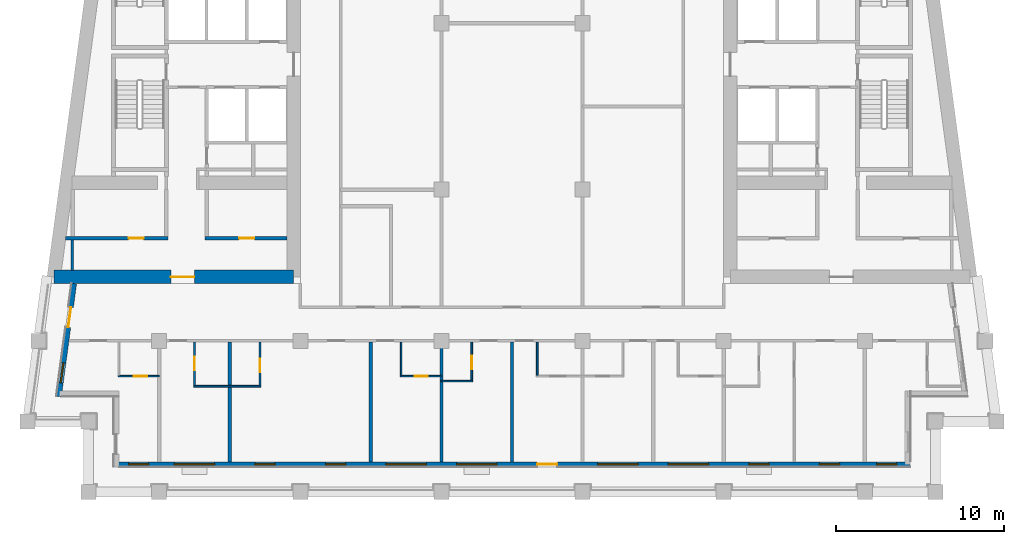
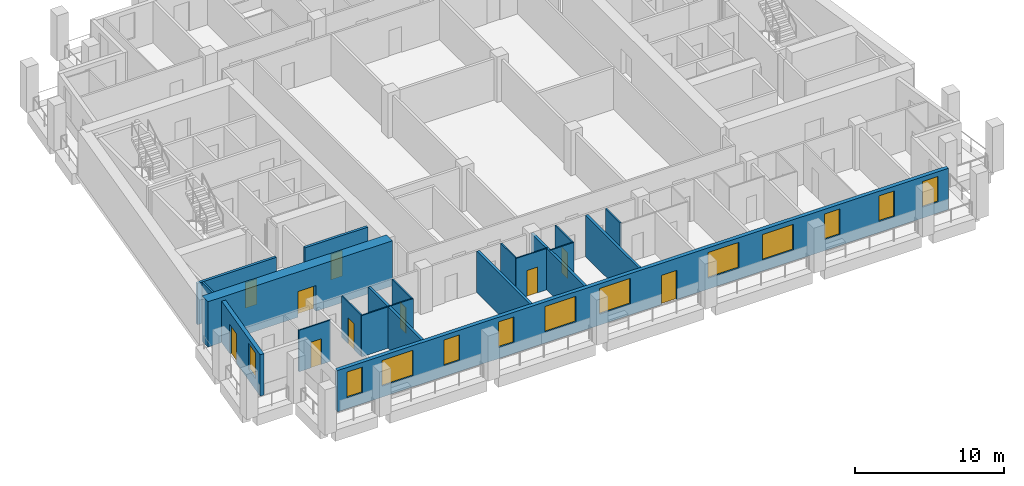
# One storey, part 2 of 12: 19 walls, 12 windows, 10 doors, 22 openings.
"""IFC4 building model written with IfcOpenShell, lengths in metres."""

from ifc_helpers import new_model, si_unit, direction, frame, frame_2d, origin, place, context, subcontext, project, spatial, rectangle, extrude, material, layer, layer_set, type_object, element, fill, save


model = new_model("IFC4")

# Units and contexts
model_context = context("Model", 3, precision=1e-05, world=origin(), true_north=direction((0.0, 1.0)))
body_context = subcontext(model_context, "Body", "Model", "MODEL_VIEW")
ifc_project = project(units=[si_unit("LENGTHUNIT", "METRE"), si_unit("AREAUNIT", "SQUARE_METRE"), si_unit("VOLUMEUNIT", "CUBIC_METRE"), si_unit("PLANEANGLEUNIT", "RADIAN"), si_unit("MASSUNIT", "GRAM", prefix="KILO")], contexts=[model_context])

# Site, building, storey
site_placement = place(None, origin())
site = spatial("IfcSite", under=ifc_project, at=site_placement, CompositionType="ELEMENT")
building_placement = place(site_placement, origin())
building = spatial("IfcBuilding", under=site, at=building_placement, Name="Candeia Pilgrim Tower and Theatre", CompositionType="ELEMENT")
storey_placement = place(building_placement, frame((0.0, 0.0, 209.60009765625)))
storey = spatial("IfcBuildingStorey", under=building, at=storey_placement, Name="L50", CompositionType="ELEMENT", Elevation=209.60009765625)

# Wall, opening, door
ifc_material_1 = material(Name="Concrete C50/60", Category="concrete")
ifc_layer_1 = layer(ifc_material_1, 0.800048828125)
ifc_layer_set_1 = layer_set([ifc_layer_1], Name="Core wall 800 C50/60")
wall_type_1 = type_object("IfcWallType", Name="Core wall 800 C50/60", PredefinedType="SHEAR", material=ifc_layer_set_1)
wall_1_placement = place(storey_placement, frame((100.39990234375, 110.800048828125, 0.0), z_axis=(0.0, 0.0, 1.0), x_axis=(-1.0, 0.0, 0.0)))
wall_1 = element("IfcWall", 1, at=wall_1_placement, inside=storey, type_object=wall_type_1, Name="Core wall W3", PredefinedType="SHEAR", context=body_context, shape_type="SweptSolid", body=[
    extrude(rectangle(XDim=14.273193359375, YDim=0.800048828125, at=frame_2d((7.13671875, 0.0))), origin(), (0.0, 0.0, 1.0), 3.699951171875),
])
opening_1_placement = place(wall_1_placement, frame((5.907958984375, 0.0, 0.0)))
opening_1 = element("IfcOpeningElement", 2, at=opening_1_placement, cuts=wall_1, Name="Opening L50-D053", PredefinedType="OPENING", context=body_context, shape_type="SweptSolid", body=[
    extrude(rectangle(XDim=1.39990234375, YDim=2.10009765625, at=frame_2d((0.699951171875, 1.050048828125))), frame((0.0, 0.41015625, 0.0), z_axis=(0.0, -1.0, 0.0), x_axis=(1.0, 0.0, 0.0)), (0.0, 0.0, 1.0), 0.820068359375),
])
ifc_material_2 = material(Name="Steel fire door set", Category="steel")
door_type_1 = type_object("IfcDoorType", Name="D-1400-FD60", OperationType="NOTDEFINED", PredefinedType="DOOR", material=ifc_material_2)
door_1_placement = place(opening_1_placement, origin())
door_1 = element("IfcDoor", 3, at=door_1_placement, inside=storey, type_object=door_type_1, Name="Door L50-D053", OperationType="SINGLE_SWING_LEFT", OverallHeight=2.10009765625, OverallWidth=1.39990234375, PredefinedType="DOOR", context=body_context, shape_type="SweptSolid", body=[
    extrude(rectangle(XDim=1.39990234375, YDim=2.10009765625, at=frame_2d((0.699951171875, 1.050048828125))), frame((0.0, 0.02490234375, 0.0), z_axis=(0.0, -1.0, 0.0), x_axis=(1.0, 0.0, 0.0)), (0.0, 0.0, 1.0), 0.050048828125),
])
fill(opening_1, door_1)

# Wall, openings, door, windows
ifc_material_3 = material(Name="Ceramic block masonry", Category="masonry")
ifc_layer_2 = layer(ifc_material_3, 0.300048828125)
ifc_layer_set_2 = layer_set([ifc_layer_2], Name="EW1 glazing-line wall 300")
wall_type_2 = type_object("IfcWallType", Name="EW1 glazing-line wall 300", PredefinedType="SOLIDWALL", material=ifc_layer_set_2)
wall_2_placement = place(storey_placement, frame((89.85009765625, 99.64990234375, 0.0), z_axis=(0.0, 0.0, 1.0), x_axis=(1.0, 0.0, 0.0)))
wall_2 = element("IfcWall", 4, at=wall_2_placement, inside=storey, type_object=wall_type_2, Name="External wall L50-0.0", PredefinedType="SOLIDWALL", context=body_context, shape_type="SweptSolid", body=[
    extrude(rectangle(XDim=47.25, YDim=0.300048828125, at=frame_2d((23.625, 0.0))), origin(), (0.0, 0.0, 1.0), 3.3798828125),
])
opening_2_placement = place(wall_2_placement, frame((0.72509765625, 0.0, 0.89990234375)))
opening_2 = element("IfcOpeningElement", 5, at=opening_2_placement, cuts=wall_2, Name="Opening W-B", PredefinedType="OPENING", context=body_context, shape_type="SweptSolid", body=[
    extrude(rectangle(XDim=1.199951171875, YDim=2.10009765625, at=frame_2d((0.60009765625, 1.050048828125))), frame((0.0, 0.16015625, 0.0), z_axis=(0.0, -1.0, 0.0), x_axis=(1.0, 0.0, 0.0)), (0.0, 0.0, 1.0), 0.320068359375),
])
opening_3_placement = place(wall_2_placement, frame((3.449951171875, 0.0, 0.89990234375)))
opening_3 = element("IfcOpeningElement", 6, at=opening_3_placement, cuts=wall_2, Name="Opening W-A", PredefinedType="OPENING", context=body_context, shape_type="SweptSolid", body=[
    extrude(rectangle(XDim=2.39990234375, YDim=2.10009765625, at=frame_2d((1.199951171875, 1.050048828125))), frame((0.0, 0.16015625, 0.0), z_axis=(0.0, -1.0, 0.0), x_axis=(1.0, 0.0, 0.0)), (0.0, 0.0, 1.0), 0.320068359375),
])
opening_4_placement = place(wall_2_placement, frame((8.25, 0.0, 0.89990234375)))
opening_4 = element("IfcOpeningElement", 7, at=opening_4_placement, cuts=wall_2, Name="Opening W-B", PredefinedType="OPENING", context=body_context, shape_type="SweptSolid", body=[
    extrude(rectangle(XDim=1.199951171875, YDim=2.10009765625, at=frame_2d((0.60009765625, 1.050048828125))), frame((0.0, 0.16015625, 0.0), z_axis=(0.0, -1.0, 0.0), x_axis=(1.0, 0.0, 0.0)), (0.0, 0.0, 1.0), 0.320068359375),
])
opening_5_placement = place(wall_2_placement, frame((12.449951171875, 0.0, 0.89990234375)))
opening_5 = element("IfcOpeningElement", 8, at=opening_5_placement, cuts=wall_2, Name="Opening W-B", PredefinedType="OPENING", context=body_context, shape_type="SweptSolid", body=[
    extrude(rectangle(XDim=1.199951171875, YDim=2.10009765625, at=frame_2d((0.60009765625, 1.050048828125))), frame((0.0, 0.16015625, 0.0), z_axis=(0.0, -1.0, 0.0), x_axis=(1.0, 0.0, 0.0)), (0.0, 0.0, 1.0), 0.320068359375),
])
opening_6_placement = place(wall_2_placement, frame((16.050048828125, 0.0, 0.89990234375)))
opening_6 = element("IfcOpeningElement", 9, at=opening_6_placement, cuts=wall_2, Name="Opening W-A", PredefinedType="OPENING", context=body_context, shape_type="SweptSolid", body=[
    extrude(rectangle(XDim=2.39990234375, YDim=2.10009765625, at=frame_2d((1.199951171875, 1.050048828125))), frame((0.0, 0.16015625, 0.0), z_axis=(0.0, -1.0, 0.0), x_axis=(1.0, 0.0, 0.0)), (0.0, 0.0, 1.0), 0.320068359375),
])
opening_7_placement = place(wall_2_placement, frame((20.25, 0.0, 0.89990234375)))
opening_7 = element("IfcOpeningElement", 10, at=opening_7_placement, cuts=wall_2, Name="Opening W-A", PredefinedType="OPENING", context=body_context, shape_type="SweptSolid", body=[
    extrude(rectangle(XDim=2.39990234375, YDim=2.10009765625, at=frame_2d((1.199951171875, 1.050048828125))), frame((0.0, 0.16015625, 0.0), z_axis=(0.0, -1.0, 0.0), x_axis=(1.0, 0.0, 0.0)), (0.0, 0.0, 1.0), 0.320068359375),
])
opening_8_placement = place(wall_2_placement, frame((25.050048828125, 0.0, 0.0)))
opening_8 = element("IfcOpeningElement", 11, at=opening_8_placement, cuts=wall_2, Name="Opening L50-ED473", PredefinedType="OPENING", context=body_context, shape_type="SweptSolid", body=[
    extrude(rectangle(XDim=1.199951171875, YDim=2.39990234375, at=frame_2d((0.60009765625, 1.199951171875))), frame((0.0, 0.16015625, 0.0), z_axis=(0.0, -1.0, 0.0), x_axis=(1.0, 0.0, 0.0)), (0.0, 0.0, 1.0), 0.320068359375),
])
opening_9_placement = place(wall_2_placement, frame((28.64990234375, 0.0, 0.89990234375)))
opening_9 = element("IfcOpeningElement", 12, at=opening_9_placement, cuts=wall_2, Name="Opening W-A", PredefinedType="OPENING", context=body_context, shape_type="SweptSolid", body=[
    extrude(rectangle(XDim=2.39990234375, YDim=2.10009765625, at=frame_2d((1.199951171875, 1.050048828125))), frame((0.0, 0.16015625, 0.0), z_axis=(0.0, -1.0, 0.0), x_axis=(1.0, 0.0, 0.0)), (0.0, 0.0, 1.0), 0.320068359375),
])
opening_10_placement = place(wall_2_placement, frame((32.85009765625, 0.0, 0.89990234375)))
opening_10 = element("IfcOpeningElement", 13, at=opening_10_placement, cuts=wall_2, Name="Opening W-A", PredefinedType="OPENING", context=body_context, shape_type="SweptSolid", body=[
    extrude(rectangle(XDim=2.39990234375, YDim=2.10009765625, at=frame_2d((1.199951171875, 1.050048828125))), frame((0.0, 0.16015625, 0.0), z_axis=(0.0, -1.0, 0.0), x_axis=(1.0, 0.0, 0.0)), (0.0, 0.0, 1.0), 0.320068359375),
])
opening_11_placement = place(wall_2_placement, frame((37.64990234375, 0.0, 0.89990234375)))
opening_11 = element("IfcOpeningElement", 14, at=opening_11_placement, cuts=wall_2, Name="Opening W-B", PredefinedType="OPENING", context=body_context, shape_type="SweptSolid", body=[
    extrude(rectangle(XDim=1.199951171875, YDim=2.10009765625, at=frame_2d((0.60009765625, 1.050048828125))), frame((0.0, 0.16015625, 0.0), z_axis=(0.0, -1.0, 0.0), x_axis=(1.0, 0.0, 0.0)), (0.0, 0.0, 1.0), 0.320068359375),
])
opening_12_placement = place(wall_2_placement, frame((41.85009765625, 0.0, 0.89990234375)))
opening_12 = element("IfcOpeningElement", 15, at=opening_12_placement, cuts=wall_2, Name="Opening W-B", PredefinedType="OPENING", context=body_context, shape_type="SweptSolid", body=[
    extrude(rectangle(XDim=1.199951171875, YDim=2.10009765625, at=frame_2d((0.60009765625, 1.050048828125))), frame((0.0, 0.16015625, 0.0), z_axis=(0.0, -1.0, 0.0), x_axis=(1.0, 0.0, 0.0)), (0.0, 0.0, 1.0), 0.320068359375),
])
opening_13_placement = place(wall_2_placement, frame((45.25, 0.0, 0.89990234375)))
opening_13 = element("IfcOpeningElement", 16, at=opening_13_placement, cuts=wall_2, Name="Opening W-B", PredefinedType="OPENING", context=body_context, shape_type="SweptSolid", body=[
    extrude(rectangle(XDim=1.199951171875, YDim=2.10009765625, at=frame_2d((0.60009765625, 1.050048828125))), frame((0.0, 0.16015625, 0.0), z_axis=(0.0, -1.0, 0.0), x_axis=(1.0, 0.0, 0.0)), (0.0, 0.0, 1.0), 0.320068359375),
])
ifc_material_4 = material(Name="Aluminium framed glazed door", Category="aluminium")
door_type_2 = type_object("IfcDoorType", Name="Loggia door 1200x2400", OperationType="DOUBLE_DOOR_SINGLE_SWING", PredefinedType="DOOR", material=ifc_material_4)
door_2_placement = place(opening_8_placement, origin())
door_2 = element("IfcDoor", 17, at=door_2_placement, inside=storey, type_object=door_type_2, Name="Loggia door L50-ED473", OperationType="DOUBLE_DOOR_SINGLE_SWING", OverallHeight=2.39990234375, OverallWidth=1.199951171875, PredefinedType="DOOR", context=body_context, shape_type="SweptSolid", body=[
    extrude(rectangle(XDim=1.199951171875, YDim=2.39990234375, at=frame_2d((0.60009765625, 1.199951171875))), frame((0.0, 0.02490234375, 0.0), z_axis=(0.0, -1.0, 0.0), x_axis=(1.0, 0.0, 0.0)), (0.0, 0.0, 1.0), 0.050048828125),
])
fill(opening_8, door_2)
ifc_material_5 = material(Name="Aluminium framed double glazing", Category="aluminium")
window_type_1 = type_object("IfcWindowType", Name="W-A window 2400x2100", PartitioningType="DOUBLE_PANEL_VERTICAL", PredefinedType="WINDOW", material=ifc_material_5)
window_1_placement = place(opening_3_placement, origin())
window_1 = element("IfcWindow", 18, at=window_1_placement, inside=storey, type_object=window_type_1, Name="Window W-A L50", OverallHeight=2.10009765625, OverallWidth=2.39990234375, PartitioningType="SINGLE_PANEL", PredefinedType="WINDOW", context=body_context, shape_type="SweptSolid", body=[
    extrude(rectangle(XDim=2.39990234375, YDim=2.10009765625, at=frame_2d((1.199951171875, 1.050048828125))), frame((0.0, 0.030029296875, 0.0), z_axis=(0.0, -1.0, 0.0), x_axis=(1.0, 0.0, 0.0)), (0.0, 0.0, 1.0), 0.06005859375),
])
fill(opening_3, window_1)
window_2_placement = place(opening_6_placement, origin())
window_2 = element("IfcWindow", 19, at=window_2_placement, inside=storey, type_object=window_type_1, Name="Window W-A L50", OverallHeight=2.10009765625, OverallWidth=2.39990234375, PartitioningType="SINGLE_PANEL", PredefinedType="WINDOW", context=body_context, shape_type="SweptSolid", body=[
    extrude(rectangle(XDim=2.39990234375, YDim=2.10009765625, at=frame_2d((1.199951171875, 1.050048828125))), frame((0.0, 0.030029296875, 0.0), z_axis=(0.0, -1.0, 0.0), x_axis=(1.0, 0.0, 0.0)), (0.0, 0.0, 1.0), 0.06005859375),
])
fill(opening_6, window_2)
window_3_placement = place(opening_7_placement, origin())
window_3 = element("IfcWindow", 20, at=window_3_placement, inside=storey, type_object=window_type_1, Name="Window W-A L50", OverallHeight=2.10009765625, OverallWidth=2.39990234375, PartitioningType="SINGLE_PANEL", PredefinedType="WINDOW", context=body_context, shape_type="SweptSolid", body=[
    extrude(rectangle(XDim=2.39990234375, YDim=2.10009765625, at=frame_2d((1.199951171875, 1.050048828125))), frame((0.0, 0.030029296875, 0.0), z_axis=(0.0, -1.0, 0.0), x_axis=(1.0, 0.0, 0.0)), (0.0, 0.0, 1.0), 0.06005859375),
])
fill(opening_7, window_3)
window_4_placement = place(opening_9_placement, origin())
window_4 = element("IfcWindow", 21, at=window_4_placement, inside=storey, type_object=window_type_1, Name="Window W-A L50", OverallHeight=2.10009765625, OverallWidth=2.39990234375, PartitioningType="SINGLE_PANEL", PredefinedType="WINDOW", context=body_context, shape_type="SweptSolid", body=[
    extrude(rectangle(XDim=2.39990234375, YDim=2.10009765625, at=frame_2d((1.199951171875, 1.050048828125))), frame((0.0, 0.030029296875, 0.0), z_axis=(0.0, -1.0, 0.0), x_axis=(1.0, 0.0, 0.0)), (0.0, 0.0, 1.0), 0.06005859375),
])
fill(opening_9, window_4)
window_5_placement = place(opening_10_placement, origin())
window_5 = element("IfcWindow", 22, at=window_5_placement, inside=storey, type_object=window_type_1, Name="Window W-A L50", OverallHeight=2.10009765625, OverallWidth=2.39990234375, PartitioningType="SINGLE_PANEL", PredefinedType="WINDOW", context=body_context, shape_type="SweptSolid", body=[
    extrude(rectangle(XDim=2.39990234375, YDim=2.10009765625, at=frame_2d((1.199951171875, 1.050048828125))), frame((0.0, 0.030029296875, 0.0), z_axis=(0.0, -1.0, 0.0), x_axis=(1.0, 0.0, 0.0)), (0.0, 0.0, 1.0), 0.06005859375),
])
fill(opening_10, window_5)
window_type_2 = type_object("IfcWindowType", Name="W-B window 1200x2100", PartitioningType="SINGLE_PANEL", PredefinedType="WINDOW", material=ifc_material_5)
window_6_placement = place(opening_2_placement, origin())
window_6 = element("IfcWindow", 23, at=window_6_placement, inside=storey, type_object=window_type_2, Name="Window W-B L50", OverallHeight=2.10009765625, OverallWidth=1.199951171875, PartitioningType="SINGLE_PANEL", PredefinedType="WINDOW", context=body_context, shape_type="SweptSolid", body=[
    extrude(rectangle(XDim=1.199951171875, YDim=2.10009765625, at=frame_2d((0.60009765625, 1.050048828125))), frame((0.0, 0.030029296875, 0.0), z_axis=(0.0, -1.0, 0.0), x_axis=(1.0, 0.0, 0.0)), (0.0, 0.0, 1.0), 0.06005859375),
])
fill(opening_2, window_6)
window_7_placement = place(opening_4_placement, origin())
window_7 = element("IfcWindow", 24, at=window_7_placement, inside=storey, type_object=window_type_2, Name="Window W-B L50", OverallHeight=2.10009765625, OverallWidth=1.199951171875, PartitioningType="SINGLE_PANEL", PredefinedType="WINDOW", context=body_context, shape_type="SweptSolid", body=[
    extrude(rectangle(XDim=1.199951171875, YDim=2.10009765625, at=frame_2d((0.60009765625, 1.050048828125))), frame((0.0, 0.030029296875, 0.0), z_axis=(0.0, -1.0, 0.0), x_axis=(1.0, 0.0, 0.0)), (0.0, 0.0, 1.0), 0.06005859375),
])
fill(opening_4, window_7)
window_8_placement = place(opening_5_placement, origin())
window_8 = element("IfcWindow", 25, at=window_8_placement, inside=storey, type_object=window_type_2, Name="Window W-B L50", OverallHeight=2.10009765625, OverallWidth=1.199951171875, PartitioningType="SINGLE_PANEL", PredefinedType="WINDOW", context=body_context, shape_type="SweptSolid", body=[
    extrude(rectangle(XDim=1.199951171875, YDim=2.10009765625, at=frame_2d((0.60009765625, 1.050048828125))), frame((0.0, 0.030029296875, 0.0), z_axis=(0.0, -1.0, 0.0), x_axis=(1.0, 0.0, 0.0)), (0.0, 0.0, 1.0), 0.06005859375),
])
fill(opening_5, window_8)
window_9_placement = place(opening_11_placement, origin())
window_9 = element("IfcWindow", 26, at=window_9_placement, inside=storey, type_object=window_type_2, Name="Window W-B L50", OverallHeight=2.10009765625, OverallWidth=1.199951171875, PartitioningType="SINGLE_PANEL", PredefinedType="WINDOW", context=body_context, shape_type="SweptSolid", body=[
    extrude(rectangle(XDim=1.199951171875, YDim=2.10009765625, at=frame_2d((0.60009765625, 1.050048828125))), frame((0.0, 0.030029296875, 0.0), z_axis=(0.0, -1.0, 0.0), x_axis=(1.0, 0.0, 0.0)), (0.0, 0.0, 1.0), 0.06005859375),
])
fill(opening_11, window_9)
window_10_placement = place(opening_12_placement, origin())
window_10 = element("IfcWindow", 27, at=window_10_placement, inside=storey, type_object=window_type_2, Name="Window W-B L50", OverallHeight=2.10009765625, OverallWidth=1.199951171875, PartitioningType="SINGLE_PANEL", PredefinedType="WINDOW", context=body_context, shape_type="SweptSolid", body=[
    extrude(rectangle(XDim=1.199951171875, YDim=2.10009765625, at=frame_2d((0.60009765625, 1.050048828125))), frame((0.0, 0.030029296875, 0.0), z_axis=(0.0, -1.0, 0.0), x_axis=(1.0, 0.0, 0.0)), (0.0, 0.0, 1.0), 0.06005859375),
])
fill(opening_12, window_10)
window_11_placement = place(opening_13_placement, origin())
window_11 = element("IfcWindow", 28, at=window_11_placement, inside=storey, type_object=window_type_2, Name="Window W-B L50", OverallHeight=2.10009765625, OverallWidth=1.199951171875, PartitioningType="SINGLE_PANEL", PredefinedType="WINDOW", context=body_context, shape_type="SweptSolid", body=[
    extrude(rectangle(XDim=1.199951171875, YDim=2.10009765625, at=frame_2d((0.60009765625, 1.050048828125))), frame((0.0, 0.030029296875, 0.0), z_axis=(0.0, -1.0, 0.0), x_axis=(1.0, 0.0, 0.0)), (0.0, 0.0, 1.0), 0.06005859375),
])
fill(opening_13, window_11)

# Wall, openings, door, window
wall_3_placement = place(storey_placement, frame((87.334228515625, 110.39990234375, 0.0), z_axis=(0.0, 0.0, 1.0), x_axis=(-0.133437175554, -0.991057273915, 0.0)))
wall_3 = element("IfcWall", 29, at=wall_3_placement, inside=storey, type_object=wall_type_2, Name="External wall L50-9.1", PredefinedType="SOLIDWALL", context=body_context, shape_type="SweptSolid", body=[
    extrude(rectangle(XDim=6.780517578125, YDim=0.300048828125, at=frame_2d((3.39013671875, 0.0))), origin(), (0.0, 0.0, 1.0), 3.3798828125),
])
opening_14_placement = place(wall_3_placement, frame((1.41796875, 0.0, 0.0)))
opening_14 = element("IfcOpeningElement", 30, at=opening_14_placement, cuts=wall_3, Name="Opening L50-ED481", PredefinedType="OPENING", context=body_context, shape_type="SweptSolid", body=[
    extrude(rectangle(XDim=1.199951171875, YDim=2.39990234375, at=frame_2d((0.60009765625, 1.199951171875))), frame((0.0, 0.16015625, 0.0), z_axis=(0.0, -1.0, 0.0), x_axis=(1.0, 0.0, 0.0)), (0.0, 0.0, 1.0), 0.320068359375),
])
opening_15_placement = place(wall_3_placement, frame((4.75830078125, 0.0, 0.89990234375)))
opening_15 = element("IfcOpeningElement", 31, at=opening_15_placement, cuts=wall_3, Name="Opening W-B", PredefinedType="OPENING", context=body_context, shape_type="SweptSolid", body=[
    extrude(rectangle(XDim=1.199951171875, YDim=2.10009765625, at=frame_2d((0.60009765625, 1.050048828125))), frame((0.0, 0.16015625, 0.0), z_axis=(0.0, -1.0, 0.0), x_axis=(1.0, 0.0, 0.0)), (0.0, 0.0, 1.0), 0.320068359375),
])
door_3_placement = place(opening_14_placement, origin())
door_3 = element("IfcDoor", 32, at=door_3_placement, inside=storey, type_object=door_type_2, Name="Loggia door L50-ED481", OperationType="DOUBLE_DOOR_SINGLE_SWING", OverallHeight=2.39990234375, OverallWidth=1.199951171875, PredefinedType="DOOR", context=body_context, shape_type="SweptSolid", body=[
    extrude(rectangle(XDim=1.199951171875, YDim=2.39990234375, at=frame_2d((0.60009765625, 1.199951171875))), frame((0.0, 0.02490234375, 0.0), z_axis=(0.0, -1.0, 0.0), x_axis=(1.0, 0.0, 0.0)), (0.0, 0.0, 1.0), 0.050048828125),
])
fill(opening_14, door_3)
window_12_placement = place(opening_15_placement, origin())
window_12 = element("IfcWindow", 33, at=window_12_placement, inside=storey, type_object=window_type_2, Name="Window W-B L50", OverallHeight=2.10009765625, OverallWidth=1.199951171875, PartitioningType="SINGLE_PANEL", PredefinedType="WINDOW", context=body_context, shape_type="SweptSolid", body=[
    extrude(rectangle(XDim=1.199951171875, YDim=2.10009765625, at=frame_2d((0.60009765625, 1.050048828125))), frame((0.0, 0.030029296875, 0.0), z_axis=(0.0, -1.0, 0.0), x_axis=(1.0, 0.0, 0.0)), (0.0, 0.0, 1.0), 0.06005859375),
])
fill(opening_15, window_12)

# Walls
ifc_material_6 = material(Name="Gypsum board partition on steel studs", Category="steel")
ifc_layer_3 = layer(ifc_material_6, 0.10009765625)
ifc_layer_set_3 = layer_set([ifc_layer_3], Name="PW-100 room partition")
wall_type_3 = type_object("IfcWallType", Name="PW-100 room partition", PredefinedType="PARTITIONING", material=ifc_layer_set_3)
wall_4_placement = place(storey_placement, frame((94.449951171875, 104.300048828125, 0.0), z_axis=(0.0, 0.0, 1.0), x_axis=(1.0, 0.0, 0.0)))
element("IfcWall", 34, at=wall_4_placement, inside=storey, type_object=wall_type_3, Name="Room partition L50-001", PredefinedType="PARTITIONING", context=body_context, shape_type="SweptSolid", body=[
    extrude(rectangle(XDim=4.0, YDim=0.10009765625, at=frame_2d((2.0, 0.0))), origin(), (0.0, 0.0, 1.0), 3.3798828125),
])
wall_5_placement = place(storey_placement, frame((109.199951171875, 104.60009765625, 0.0), z_axis=(0.0, 0.0, 1.0), x_axis=(1.0, 0.0, 0.0)))
element("IfcWall", 35, at=wall_5_placement, inside=storey, type_object=wall_type_3, Name="Room partition L50-004", PredefinedType="PARTITIONING", context=body_context, shape_type="SweptSolid", body=[
    extrude(rectangle(XDim=1.85009765625, YDim=0.10009765625, at=frame_2d((0.925048828125, 0.0))), origin(), (0.0, 0.0, 1.0), 3.3798828125),
])

# Wall, opening, door
wall_6_placement = place(storey_placement, frame((89.949951171875, 104.89990234375, 0.0), z_axis=(0.0, 0.0, 1.0), x_axis=(1.0, 0.0, 0.0)))
wall_6 = element("IfcWall", 36, at=wall_6_placement, inside=storey, type_object=wall_type_3, Name="Room partition L50-005", PredefinedType="PARTITIONING", context=body_context, shape_type="SweptSolid", body=[
    extrude(rectangle(XDim=2.449951171875, YDim=0.10009765625, at=frame_2d((1.22509765625, 0.0))), origin(), (0.0, 0.0, 1.0), 3.3798828125),
])
opening_16_placement = place(wall_6_placement, frame((0.93994140625, 0.0, 0.0)))
opening_16 = element("IfcOpeningElement", 37, at=opening_16_placement, cuts=wall_6, Name="Opening L50-D014", PredefinedType="OPENING", context=body_context, shape_type="SweptSolid", body=[
    extrude(rectangle(XDim=0.800048828125, YDim=2.10009765625, at=frame_2d((0.39990234375, 1.050048828125))), frame((0.0, 0.06005859375, 0.0), z_axis=(0.0, -1.0, 0.0), x_axis=(1.0, 0.0, 0.0)), (0.0, 0.0, 1.0), 0.1201171875),
])
ifc_material_7 = material(Name="Timber door leaf", Category="wood")
door_type_3 = type_object("IfcDoorType", Name="D-800", OperationType="NOTDEFINED", PredefinedType="DOOR", material=ifc_material_7)
door_4_placement = place(opening_16_placement, origin())
door_4 = element("IfcDoor", 38, at=door_4_placement, inside=storey, type_object=door_type_3, Name="Door L50-D014", OperationType="SINGLE_SWING_RIGHT", OverallHeight=2.10009765625, OverallWidth=0.800048828125, PredefinedType="DOOR", context=body_context, shape_type="SweptSolid", body=[
    extrude(rectangle(XDim=0.800048828125, YDim=2.10009765625, at=frame_2d((0.39990234375, 1.050048828125))), frame((0.0, 0.02490234375, 0.0), z_axis=(0.0, -1.0, 0.0), x_axis=(1.0, 0.0, 0.0)), (0.0, 0.0, 1.0), 0.050048828125),
])
fill(opening_16, door_4)

wall_7_placement = place(storey_placement, frame((106.75, 104.89990234375, 0.0), z_axis=(0.0, 0.0, 1.0), x_axis=(1.0, 0.0, 0.0)))
wall_7 = element("IfcWall", 39, at=wall_7_placement, inside=storey, type_object=wall_type_3, Name="Room partition L50-006", PredefinedType="PARTITIONING", context=body_context, shape_type="SweptSolid", body=[
    extrude(rectangle(XDim=2.449951171875, YDim=0.10009765625, at=frame_2d((1.22509765625, 0.0))), origin(), (0.0, 0.0, 1.0), 3.3798828125),
])
opening_17_placement = place(wall_7_placement, frame((0.85009765625, 0.0, 0.0)))
opening_17 = element("IfcOpeningElement", 40, at=opening_17_placement, cuts=wall_7, Name="Opening L50-D020", PredefinedType="OPENING", context=body_context, shape_type="SweptSolid", body=[
    extrude(rectangle(XDim=0.800048828125, YDim=2.10009765625, at=frame_2d((0.39990234375, 1.050048828125))), frame((0.0, 0.06005859375, 0.0), z_axis=(0.0, -1.0, 0.0), x_axis=(1.0, 0.0, 0.0)), (0.0, 0.0, 1.0), 0.1201171875),
])
door_5_placement = place(opening_17_placement, origin())
door_5 = element("IfcDoor", 41, at=door_5_placement, inside=storey, type_object=door_type_3, Name="Door L50-D020", OperationType="SINGLE_SWING_RIGHT", OverallHeight=2.10009765625, OverallWidth=0.800048828125, PredefinedType="DOOR", context=body_context, shape_type="SweptSolid", body=[
    extrude(rectangle(XDim=0.800048828125, YDim=2.10009765625, at=frame_2d((0.39990234375, 1.050048828125))), frame((0.0, 0.02490234375, 0.0), z_axis=(0.0, -1.0, 0.0), x_axis=(1.0, 0.0, 0.0)), (0.0, 0.0, 1.0), 0.050048828125),
])
fill(opening_17, door_5)

wall_8_placement = place(storey_placement, frame((94.5, 104.35009765625, 0.0), z_axis=(0.0, 0.0, 1.0), x_axis=(0.0, 1.0, 0.0)))
wall_8 = element("IfcWall", 42, at=wall_8_placement, inside=storey, type_object=wall_type_3, Name="Room partition L50-061", PredefinedType="PARTITIONING", context=body_context, shape_type="SweptSolid", body=[
    extrude(rectangle(XDim=2.574951171875, YDim=0.10009765625, at=frame_2d((1.28759765625, 0.0))), origin(), (0.0, 0.0, 1.0), 3.3798828125),
])
opening_18_placement = place(wall_8_placement, frame((0.89990234375, 0.0, 0.0)))
opening_18 = element("IfcOpeningElement", 43, at=opening_18_placement, cuts=wall_8, Name="Opening L50-D016", PredefinedType="OPENING", context=body_context, shape_type="SweptSolid", body=[
    extrude(rectangle(XDim=0.800048828125, YDim=2.10009765625, at=frame_2d((0.39990234375, 1.050048828125))), frame((0.0, 0.06005859375, 0.0), z_axis=(0.0, -1.0, 0.0), x_axis=(1.0, 0.0, 0.0)), (0.0, 0.0, 1.0), 0.1201171875),
])
door_6_placement = place(opening_18_placement, origin())
door_6 = element("IfcDoor", 44, at=door_6_placement, inside=storey, type_object=door_type_3, Name="Door L50-D016", OperationType="SINGLE_SWING_RIGHT", OverallHeight=2.10009765625, OverallWidth=0.800048828125, PredefinedType="DOOR", context=body_context, shape_type="SweptSolid", body=[
    extrude(rectangle(XDim=0.800048828125, YDim=2.10009765625, at=frame_2d((0.39990234375, 1.050048828125))), frame((0.0, 0.02490234375, 0.0), z_axis=(0.0, -1.0, 0.0), x_axis=(1.0, 0.0, 0.0)), (0.0, 0.0, 1.0), 0.050048828125),
])
fill(opening_18, door_6)

wall_9_placement = place(storey_placement, frame((98.39990234375, 104.35009765625, 0.0), z_axis=(0.0, 0.0, 1.0), x_axis=(0.0, 1.0, 0.0)))
wall_9 = element("IfcWall", 45, at=wall_9_placement, inside=storey, type_object=wall_type_3, Name="Room partition L50-071", PredefinedType="PARTITIONING", context=body_context, shape_type="SweptSolid", body=[
    extrude(rectangle(XDim=2.574951171875, YDim=0.10009765625, at=frame_2d((1.28759765625, 0.0))), origin(), (0.0, 0.0, 1.0), 3.3798828125),
])
opening_19_placement = place(wall_9_placement, frame((0.780029296875, 0.0, 0.0)))
opening_19 = element("IfcOpeningElement", 46, at=opening_19_placement, cuts=wall_9, Name="Opening L50-D018", PredefinedType="OPENING", context=body_context, shape_type="SweptSolid", body=[
    extrude(rectangle(XDim=0.800048828125, YDim=2.10009765625, at=frame_2d((0.39990234375, 1.050048828125))), frame((0.0, 0.06005859375, 0.0), z_axis=(0.0, -1.0, 0.0), x_axis=(1.0, 0.0, 0.0)), (0.0, 0.0, 1.0), 0.1201171875),
])
door_7_placement = place(opening_19_placement, origin())
door_7 = element("IfcDoor", 47, at=door_7_placement, inside=storey, type_object=door_type_3, Name="Door L50-D018", OperationType="SINGLE_SWING_RIGHT", OverallHeight=2.10009765625, OverallWidth=0.800048828125, PredefinedType="DOOR", context=body_context, shape_type="SweptSolid", body=[
    extrude(rectangle(XDim=0.800048828125, YDim=2.10009765625, at=frame_2d((0.39990234375, 1.050048828125))), frame((0.0, 0.02490234375, 0.0), z_axis=(0.0, -1.0, 0.0), x_axis=(1.0, 0.0, 0.0)), (0.0, 0.0, 1.0), 0.050048828125),
])
fill(opening_19, door_7)

# Wall
wall_10_placement = place(storey_placement, frame((106.800048828125, 104.949951171875, 0.0), z_axis=(0.0, 0.0, 1.0), x_axis=(0.0, 1.0, 0.0)))
element("IfcWall", 48, at=wall_10_placement, inside=storey, type_object=wall_type_3, Name="Room partition L50-079", PredefinedType="PARTITIONING", context=body_context, shape_type="SweptSolid", body=[
    extrude(rectangle(XDim=1.97509765625, YDim=0.10009765625, at=frame_2d((0.987548828125, 0.0))), origin(), (0.0, 0.0, 1.0), 3.3798828125),
])

# Wall, opening, door
wall_11_placement = place(storey_placement, frame((111.0, 104.64990234375, 0.0), z_axis=(0.0, 0.0, 1.0), x_axis=(0.0, 1.0, 0.0)))
wall_11 = element("IfcWall", 49, at=wall_11_placement, inside=storey, type_object=wall_type_3, Name="Room partition L50-084", PredefinedType="PARTITIONING", context=body_context, shape_type="SweptSolid", body=[
    extrude(rectangle(XDim=2.275146484375, YDim=0.10009765625, at=frame_2d((1.1376953125, 0.0))), origin(), (0.0, 0.0, 1.0), 3.3798828125),
])
opening_20_placement = place(wall_11_placement, frame((0.659912109375, 0.0, 0.0)))
opening_20 = element("IfcOpeningElement", 50, at=opening_20_placement, cuts=wall_11, Name="Opening L50-D022", PredefinedType="OPENING", context=body_context, shape_type="SweptSolid", body=[
    extrude(rectangle(XDim=0.800048828125, YDim=2.10009765625, at=frame_2d((0.39990234375, 1.050048828125))), frame((0.0, 0.06005859375, 0.0), z_axis=(0.0, -1.0, 0.0), x_axis=(1.0, 0.0, 0.0)), (0.0, 0.0, 1.0), 0.1201171875),
])
door_8_placement = place(opening_20_placement, origin())
door_8 = element("IfcDoor", 51, at=door_8_placement, inside=storey, type_object=door_type_3, Name="Door L50-D022", OperationType="SINGLE_SWING_RIGHT", OverallHeight=2.10009765625, OverallWidth=0.800048828125, PredefinedType="DOOR", context=body_context, shape_type="SweptSolid", body=[
    extrude(rectangle(XDim=0.800048828125, YDim=2.10009765625, at=frame_2d((0.39990234375, 1.050048828125))), frame((0.0, 0.02490234375, 0.0), z_axis=(0.0, -1.0, 0.0), x_axis=(1.0, 0.0, 0.0)), (0.0, 0.0, 1.0), 0.050048828125),
])
fill(opening_20, door_8)

# Walls
wall_12_placement = place(storey_placement, frame((114.89990234375, 104.949951171875, 0.0), z_axis=(0.0, 0.0, 1.0), x_axis=(0.0, 1.0, 0.0)))
element("IfcWall", 52, at=wall_12_placement, inside=storey, type_object=wall_type_3, Name="Room partition L50-088", PredefinedType="PARTITIONING", context=body_context, shape_type="SweptSolid", body=[
    extrude(rectangle(XDim=1.97509765625, YDim=0.10009765625, at=frame_2d((0.987548828125, 0.0))), origin(), (0.0, 0.0, 1.0), 3.3798828125),
])
ifc_layer_4 = layer(ifc_material_6, 0.14990234375)
ifc_layer_set_4 = layer_set([ifc_layer_4], Name="PW-150 lobby wall")
wall_type_4 = type_object("IfcWallType", Name="PW-150 lobby wall", PredefinedType="PARTITIONING", material=ifc_layer_set_4)
wall_13_placement = place(storey_placement, frame((87.22705078125, 111.199951171875, 0.0), z_axis=(0.0, 0.0, 1.0), x_axis=(0.0, 1.0, 0.0)))
element("IfcWall", 53, at=wall_13_placement, inside=storey, type_object=wall_type_4, Name="Lobby wall L50-050", PredefinedType="PARTITIONING", context=body_context, shape_type="SweptSolid", body=[
    extrude(rectangle(XDim=1.800048828125, YDim=0.14990234375, at=frame_2d((0.89990234375, 0.0))), origin(), (0.0, 0.0, 1.0), 3.3798828125),
])
ifc_layer_5 = layer(ifc_material_6, 0.199951171875)
ifc_layer_set_5 = layer_set([ifc_layer_5], Name="PW-200 party wall")
wall_type_5 = type_object("IfcWallType", Name="PW-200 party wall", PredefinedType="PARTITIONING", material=ifc_layer_set_5)
for number, where, z_axis, x_axis, name in (
    (54, (96.60009765625, 99.7900390625, 0.0), (0.0, 0.0, 1.0), (0.0, 1.0, 0.0), "Party wall L50-066"),
    (55, (105.0, 99.7900390625, 0.0), (0.0, 0.0, 1.0), (0.0, 1.0, 0.0), "Party wall L50-076"),
    (56, (109.199951171875, 99.7900390625, 0.0), (0.0, 0.0, 1.0), (0.0, 1.0, 0.0), "Party wall L50-081"),
    (57, (113.39990234375, 99.7900390625, 0.0), (0.0, 0.0, 1.0), (0.0, 1.0, 0.0), "Party wall L50-086"),
):
    element("IfcWall", number, at=place(storey_placement, frame(where, z_axis=z_axis, x_axis=x_axis)), inside=storey, type_object=wall_type_5, Name=name, PredefinedType="PARTITIONING", context=body_context, shape_type="SweptSolid", body=[
        extrude(rectangle(XDim=7.135009765625, YDim=0.199951171875, at=frame_2d((3.5673828125, 0.0))), origin(), (0.0, 0.0, 1.0), 3.3798828125),
    ])

# Wall, opening, door
ifc_material_8 = material(Name="Concrete C40/50", Category="concrete")
ifc_layer_6 = layer(ifc_material_8, 0.199951171875)
ifc_layer_set_6 = layer_set([ifc_layer_6], Name="SW-200 shaft wall")
wall_type_6 = type_object("IfcWallType", Name="SW-200 shaft wall", PredefinedType="PARTITIONING", material=ifc_layer_set_6)
wall_14_placement = place(storey_placement, frame((86.809814453125, 113.10009765625, 0.0), z_axis=(0.0, 0.0, 1.0), x_axis=(1.0, 0.0, 0.0)))
wall_14 = element("IfcWall", 58, at=wall_14_placement, inside=storey, type_object=wall_type_6, Name="Shaft wall L50-011", PredefinedType="PARTITIONING", context=body_context, shape_type="SweptSolid", body=[
    extrude(rectangle(XDim=6.1171875, YDim=0.199951171875, at=frame_2d((3.05859375, 0.0))), origin(), (0.0, 0.0, 1.0), 3.3798828125),
])
opening_21_placement = place(wall_14_placement, frame((3.76708984375, 0.0, 0.0)))
opening_21 = element("IfcOpeningElement", 59, at=opening_21_placement, cuts=wall_14, Name="Opening L50-D005", PredefinedType="OPENING", context=body_context, shape_type="SweptSolid", body=[
    extrude(rectangle(XDim=0.89990234375, YDim=2.10009765625, at=frame_2d((0.449951171875, 1.050048828125))), frame((0.0, 0.10986328125, 0.0), z_axis=(0.0, -1.0, 0.0), x_axis=(1.0, 0.0, 0.0)), (0.0, 0.0, 1.0), 0.219970703125),
])
door_type_4 = type_object("IfcDoorType", Name="D-900-FD60", OperationType="NOTDEFINED", PredefinedType="DOOR", material=ifc_material_2)
door_9_placement = place(opening_21_placement, origin())
door_9 = element("IfcDoor", 60, at=door_9_placement, inside=storey, type_object=door_type_4, Name="Door L50-D005", OperationType="SINGLE_SWING_LEFT", OverallHeight=2.10009765625, OverallWidth=0.89990234375, PredefinedType="DOOR", context=body_context, shape_type="SweptSolid", body=[
    extrude(rectangle(XDim=0.89990234375, YDim=2.10009765625, at=frame_2d((0.449951171875, 1.050048828125))), frame((0.0, 0.02490234375, 0.0), z_axis=(0.0, -1.0, 0.0), x_axis=(1.0, 0.0, 0.0)), (0.0, 0.0, 1.0), 0.050048828125),
])
fill(opening_21, door_9)

wall_15_placement = place(storey_placement, frame((95.126953125, 113.10009765625, 0.0), z_axis=(0.0, 0.0, 1.0), x_axis=(1.0, 0.0, 0.0)))
wall_15 = element("IfcWall", 61, at=wall_15_placement, inside=storey, type_object=wall_type_6, Name="Shaft wall L50-012", PredefinedType="PARTITIONING", context=body_context, shape_type="SweptSolid", body=[
    extrude(rectangle(XDim=4.873046875, YDim=0.199951171875, at=frame_2d((2.4365234375, 0.0))), origin(), (0.0, 0.0, 1.0), 3.3798828125),
])
opening_22_placement = place(wall_15_placement, frame((2.037109375, 0.0, 0.0)))
opening_22 = element("IfcOpeningElement", 62, at=opening_22_placement, cuts=wall_15, Name="Opening L50-D006", PredefinedType="OPENING", context=body_context, shape_type="SweptSolid", body=[
    extrude(rectangle(XDim=0.89990234375, YDim=2.10009765625, at=frame_2d((0.449951171875, 1.050048828125))), frame((0.0, 0.10986328125, 0.0), z_axis=(0.0, -1.0, 0.0), x_axis=(1.0, 0.0, 0.0)), (0.0, 0.0, 1.0), 0.219970703125),
])
door_10_placement = place(opening_22_placement, origin())
door_10 = element("IfcDoor", 63, at=door_10_placement, inside=storey, type_object=door_type_4, Name="Door L50-D006", OperationType="SINGLE_SWING_RIGHT", OverallHeight=2.10009765625, OverallWidth=0.89990234375, PredefinedType="DOOR", context=body_context, shape_type="SweptSolid", body=[
    extrude(rectangle(XDim=0.89990234375, YDim=2.10009765625, at=frame_2d((0.449951171875, 1.050048828125))), frame((0.0, 0.02490234375, 0.0), z_axis=(0.0, -1.0, 0.0), x_axis=(1.0, 0.0, 0.0)), (0.0, 0.0, 1.0), 0.050048828125),
])
fill(opening_22, door_10)

save(model, "model.ifc")
